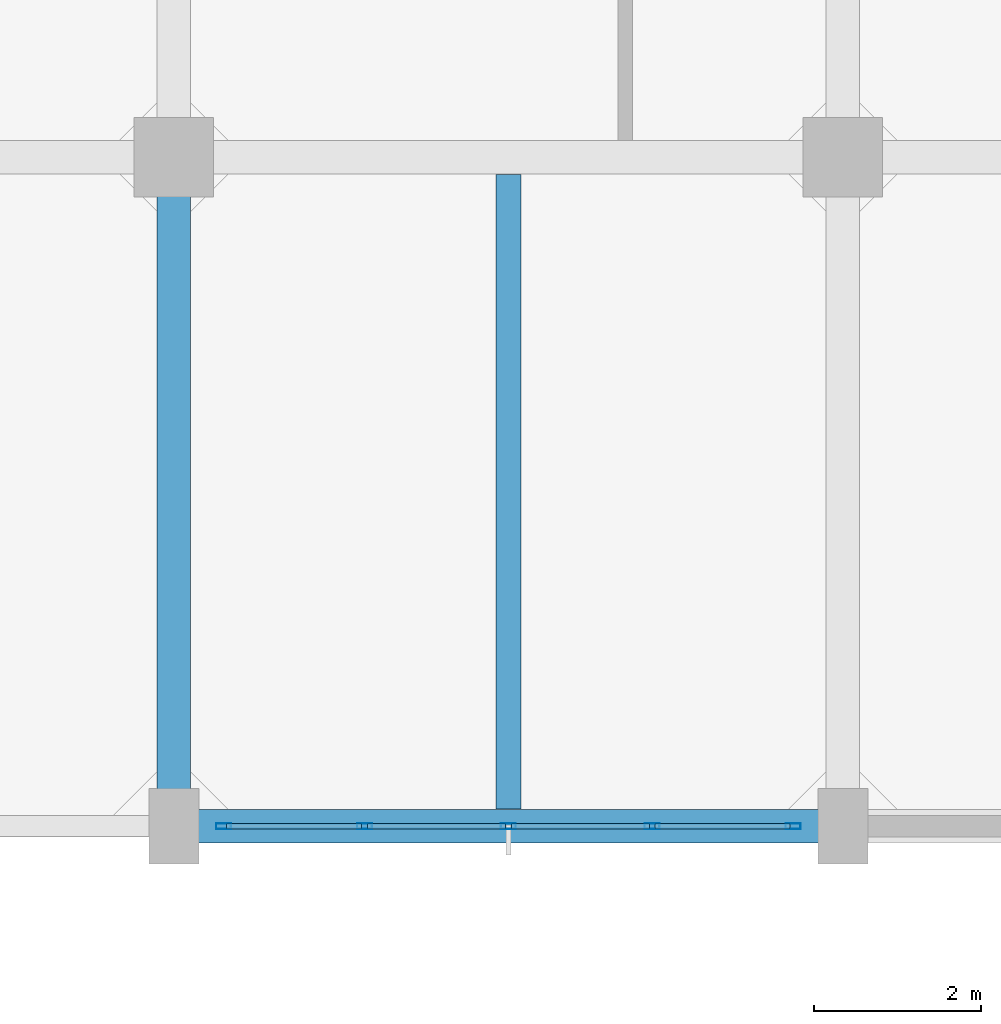
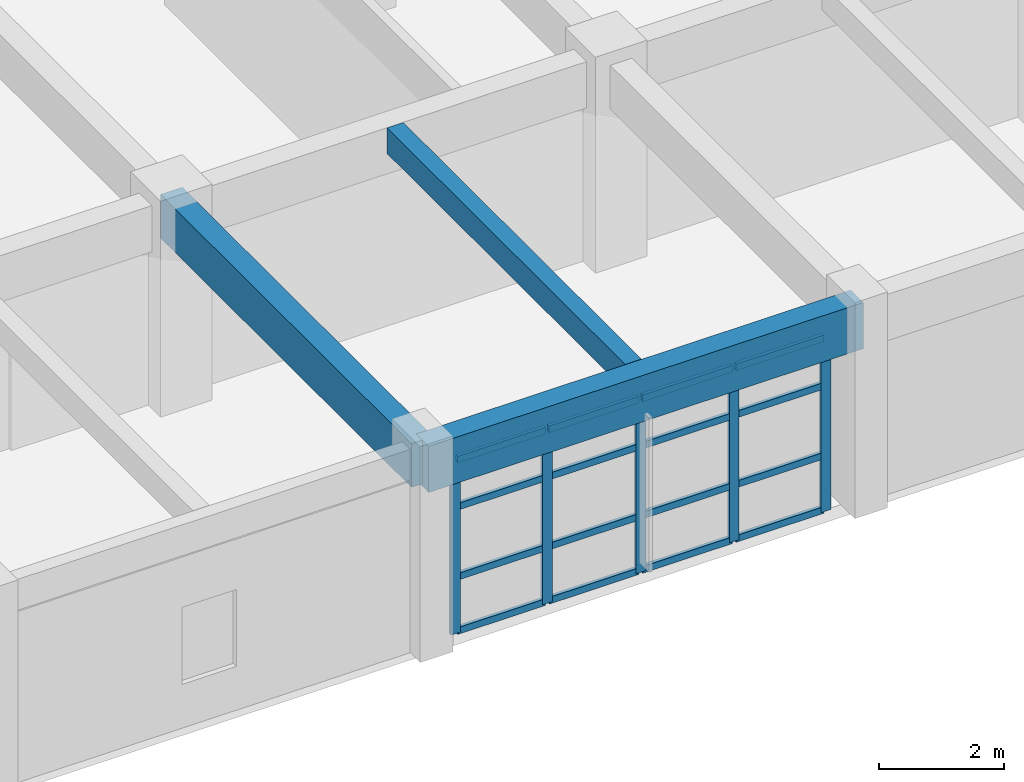
# One storey, part 2 of 35: 21 members, 3 beams, 1 element without a shape of its own.
"""IFC4 building model written with IfcOpenShell, lengths in metres."""

from ifc_helpers import new_model, si_unit, direction, frame, origin, origin_2d, place, context, subcontext, project, spatial, rectangle, hollow_rectangle, extrude, material, layer, layer_set, material_profile, profile_set, type_object, element, aggregate, save


model = new_model("IFC4")

# Units and contexts
model_context = context("Model", 3, precision=1e-05, world=origin(), true_north=direction((0.0, 1.0)))
body_context = subcontext(model_context, "Body", "Model", "MODEL_VIEW")
ifc_project = project(units=[si_unit("LENGTHUNIT", "METRE"), si_unit("AREAUNIT", "SQUARE_METRE"), si_unit("VOLUMEUNIT", "CUBIC_METRE"), si_unit("PLANEANGLEUNIT", "RADIAN"), si_unit("MASSUNIT", "GRAM", prefix="KILO")], contexts=[model_context])

# Site, building, storey
site_placement = place(None, origin())
site = spatial("IfcSite", under=ifc_project, at=site_placement, CompositionType="ELEMENT")
building_placement = place(site_placement, origin())
building = spatial("IfcBuilding", under=site, at=building_placement, Name="Canggui Botanical Conservatory", CompositionType="ELEMENT")
storey_placement = place(building_placement, frame((0.0, 0.0, 15.0)))
storey = spatial("IfcBuildingStorey", under=building, at=storey_placement, Name="L04", CompositionType="ELEMENT", Elevation=15.0)

# Beams
ifc_material_1 = material(Name="Concrete C35", Category="concrete")
ifc_material_profile_1 = material_profile(ifc_material_1, rectangle(XDim=0.300048828125, YDim=0.5, at=origin_2d()), Name="RB 300x500")
ifc_profile_set_1 = profile_set([ifc_material_profile_1], Name="Concrete C35")
beam_type_1 = type_object("IfcBeamType", Name="BM-JST02", PredefinedType="JOIST", material=ifc_profile_set_1)
beam_1_placement = place(storey_placement, frame((150.0, 26.205078125, 3.699951171875), z_axis=(0.0, 1.0, 0.0), x_axis=(-1.0, 0.0, 0.0)))
element("IfcBeam", 1, at=beam_1_placement, inside=storey, type_object=beam_type_1, Name="Secondary Floor Joist L04-2-1", PredefinedType="JOIST", context=body_context, shape_type="SweptSolid", body=[
    extrude(rectangle(XDim=0.300048828125, YDim=0.5, at=origin_2d()), origin(), (0.0, 0.0, 1.0), 7.58984375),
])
ifc_material_profile_2 = material_profile(ifc_material_1, rectangle(XDim=0.39990234375, YDim=0.89990234375, at=origin_2d()), Name="RB 400x900")
ifc_profile_set_2 = profile_set([ifc_material_profile_2], Name="Concrete C35")
beam_type_2 = type_object("IfcBeamType", Name="BM-KL07", PredefinedType="BEAM", material=ifc_profile_set_2)
beam_2_placement = place(storey_placement, frame((146.0, 26.0, 3.5), z_axis=(1.0, 0.0, 0.0), x_axis=(0.0, 1.0, 0.0)))
element("IfcBeam", 2, at=beam_2_placement, inside=storey, type_object=beam_type_2, Name="Frame Girder L04 Y26-2", PredefinedType="BEAM", context=body_context, shape_type="SweptSolid", body=[
    extrude(rectangle(XDim=0.39990234375, YDim=0.89990234375, at=origin_2d()), origin(), (0.0, 0.0, 1.0), 8.0),
])
ifc_material_profile_3 = material_profile(ifc_material_1, rectangle(XDim=0.39990234375, YDim=0.85009765625, at=origin_2d()), Name="RB 400x850")
ifc_profile_set_3 = profile_set([ifc_material_profile_3], Name="Concrete C35")
beam_type_3 = type_object("IfcBeamType", Name="BM-KL08", PredefinedType="BEAM", material=ifc_profile_set_3)
beam_3_placement = place(storey_placement, frame((146.0, 26.0, 3.52490234375), z_axis=(0.0, 1.0, 0.0), x_axis=(-1.0, 0.0, 0.0)))
element("IfcBeam", 3, at=beam_3_placement, inside=storey, type_object=beam_type_3, Name="Frame Girder L04 X146-1", PredefinedType="BEAM", context=body_context, shape_type="SweptSolid", body=[
    extrude(rectangle(XDim=0.39990234375, YDim=0.85009765625, at=origin_2d()), origin(), (0.0, 0.0, 1.0), 8.0),
])

# Curtain wall, members
ifc_material_2 = material(Name="Thermally Broken Aluminium", Category="aluminium")
ifc_layer = layer(ifc_material_2, 0.179931640625, Name="Thermally Broken Aluminium", Category="aluminium")
ifc_layer_set = layer_set([ifc_layer], Name="Thermally Broken Aluminium")
curtain_wall_type = type_object("IfcCurtainWallType", Name="CW-UNIT-A", PredefinedType="USERDEFINED", material=ifc_layer_set)
curtain_wall_placement = place(storey_placement, origin())
curtain_wall = element("IfcCurtainWall", 4, at=curtain_wall_placement, inside=storey, type_object=curtain_wall_type, Name="Facade Curtain Wall CW-TWR-L04-04", ObjectType="UNITISED CURTAIN WALL", PredefinedType="USERDEFINED")
ifc_material_profile_4 = material_profile(ifc_material_2, hollow_rectangle(XDim=0.070068359375, YDim=0.179931640625, WallThickness=0.00390625, at=origin_2d()), Name="CWM 70x180x4")
ifc_profile_set_4 = profile_set([ifc_material_profile_4], Name="Thermally Broken Aluminium")
member_type_1 = type_object("IfcMemberType", Name="CWM-01", PredefinedType="MULLION", material=ifc_profile_set_4)
member_1_placement = place(storey_placement, frame((153.405029296875, 26.0, 0.0), z_axis=(0.0, 0.0, 1.0), x_axis=(0.0, -1.0, 0.0)))
member_1 = element("IfcMember", 5, at=member_1_placement, type_object=member_type_1, Name="CW-01 mullion 1", PredefinedType="MULLION", context=body_context, shape_type="SweptSolid", body=[
    extrude(hollow_rectangle(XDim=0.070068359375, YDim=0.179931640625, WallThickness=0.00390625, at=origin_2d()), origin(), (0.0, 0.0, 1.0), 3.39990234375),
])
member_2_placement = place(storey_placement, frame((151.719970703125, 26.0, 0.0), z_axis=(0.0, 0.0, 1.0), x_axis=(0.0, -1.0, 0.0)))
member_2 = element("IfcMember", 6, at=member_2_placement, type_object=member_type_1, Name="CW-01 mullion 2", PredefinedType="MULLION", context=body_context, shape_type="SweptSolid", body=[
    extrude(hollow_rectangle(XDim=0.070068359375, YDim=0.179931640625, WallThickness=0.00390625, at=origin_2d()), origin(), (0.0, 0.0, 1.0), 3.39990234375),
])
member_3_placement = place(storey_placement, frame((150.0, 26.0, 0.0), z_axis=(0.0, 0.0, 1.0), x_axis=(0.0, -1.0, 0.0)))
member_3 = element("IfcMember", 7, at=member_3_placement, type_object=member_type_1, Name="CW-01 mullion 3", PredefinedType="MULLION", context=body_context, shape_type="SweptSolid", body=[
    extrude(hollow_rectangle(XDim=0.070068359375, YDim=0.179931640625, WallThickness=0.00390625, at=origin_2d()), origin(), (0.0, 0.0, 1.0), 3.39990234375),
])
member_4_placement = place(storey_placement, frame((148.280029296875, 26.0, 0.0), z_axis=(0.0, 0.0, 1.0), x_axis=(0.0, -1.0, 0.0)))
member_4 = element("IfcMember", 8, at=member_4_placement, type_object=member_type_1, Name="CW-01 mullion 4", PredefinedType="MULLION", context=body_context, shape_type="SweptSolid", body=[
    extrude(hollow_rectangle(XDim=0.070068359375, YDim=0.179931640625, WallThickness=0.00390625, at=origin_2d()), origin(), (0.0, 0.0, 1.0), 3.39990234375),
])
member_5_placement = place(storey_placement, frame((146.594970703125, 26.0, 0.0), z_axis=(0.0, 0.0, 1.0), x_axis=(0.0, -1.0, 0.0)))
member_5 = element("IfcMember", 9, at=member_5_placement, type_object=member_type_1, Name="CW-01 mullion 5", PredefinedType="MULLION", context=body_context, shape_type="SweptSolid", body=[
    extrude(hollow_rectangle(XDim=0.070068359375, YDim=0.179931640625, WallThickness=0.00390625, at=origin_2d()), origin(), (0.0, 0.0, 1.0), 3.39990234375),
])
ifc_material_profile_5 = material_profile(ifc_material_2, hollow_rectangle(XDim=0.06494140625, YDim=0.1298828125, WallThickness=0.00341796875, at=origin_2d()), Name="CWT 65x130x3.5")
ifc_profile_set_5 = profile_set([ifc_material_profile_5], Name="Thermally Broken Aluminium")
member_type_2 = type_object("IfcMemberType", Name="CWT-01", PredefinedType="USERDEFINED", material=ifc_profile_set_5)
member_6_placement = place(storey_placement, frame((153.3701171875, 26.0, 0.032470703125), z_axis=(-1.0, 0.0, 0.0), x_axis=(0.0, -1.0, 0.0)))
member_6 = element("IfcMember", 10, at=member_6_placement, type_object=member_type_2, Name="CW-01 transom 1.1", ObjectType="TRANSOM", PredefinedType="USERDEFINED", context=body_context, shape_type="SweptSolid", body=[
    extrude(hollow_rectangle(XDim=0.06494140625, YDim=0.1298828125, WallThickness=0.00341796875, at=origin_2d()), origin(), (0.0, 0.0, 1.0), 1.615234375),
])
member_7_placement = place(storey_placement, frame((153.3701171875, 26.0, 1.087890625), z_axis=(-1.0, 0.0, 0.0), x_axis=(0.0, -1.0, 0.0)))
member_7 = element("IfcMember", 11, at=member_7_placement, type_object=member_type_2, Name="CW-01 transom 1.2", ObjectType="TRANSOM", PredefinedType="USERDEFINED", context=body_context, shape_type="SweptSolid", body=[
    extrude(hollow_rectangle(XDim=0.06494140625, YDim=0.1298828125, WallThickness=0.00341796875, at=origin_2d()), origin(), (0.0, 0.0, 1.0), 1.615234375),
])
member_8_placement = place(storey_placement, frame((153.3701171875, 26.0, 2.447998046875), z_axis=(-1.0, 0.0, 0.0), x_axis=(0.0, -1.0, 0.0)))
member_8 = element("IfcMember", 12, at=member_8_placement, type_object=member_type_2, Name="CW-01 transom 1.3", ObjectType="TRANSOM", PredefinedType="USERDEFINED", context=body_context, shape_type="SweptSolid", body=[
    extrude(hollow_rectangle(XDim=0.06494140625, YDim=0.1298828125, WallThickness=0.00341796875, at=origin_2d()), origin(), (0.0, 0.0, 1.0), 1.615234375),
])
member_9_placement = place(storey_placement, frame((153.3701171875, 26.0, 3.367431640625), z_axis=(-1.0, 0.0, 0.0), x_axis=(0.0, -1.0, 0.0)))
member_9 = element("IfcMember", 13, at=member_9_placement, type_object=member_type_2, Name="CW-01 transom 1.4", ObjectType="TRANSOM", PredefinedType="USERDEFINED", context=body_context, shape_type="SweptSolid", body=[
    extrude(hollow_rectangle(XDim=0.06494140625, YDim=0.1298828125, WallThickness=0.00341796875, at=origin_2d()), origin(), (0.0, 0.0, 1.0), 1.615234375),
])
member_10_placement = place(storey_placement, frame((151.68505859375, 26.0, 0.032470703125), z_axis=(-1.0, 0.0, 0.0), x_axis=(0.0, -1.0, 0.0)))
member_10 = element("IfcMember", 14, at=member_10_placement, type_object=member_type_2, Name="CW-01 transom 2.1", ObjectType="TRANSOM", PredefinedType="USERDEFINED", context=body_context, shape_type="SweptSolid", body=[
    extrude(hollow_rectangle(XDim=0.06494140625, YDim=0.1298828125, WallThickness=0.00341796875, at=origin_2d()), origin(), (0.0, 0.0, 1.0), 1.650146484375),
])
member_11_placement = place(storey_placement, frame((151.68505859375, 26.0, 1.087890625), z_axis=(-1.0, 0.0, 0.0), x_axis=(0.0, -1.0, 0.0)))
member_11 = element("IfcMember", 15, at=member_11_placement, type_object=member_type_2, Name="CW-01 transom 2.2", ObjectType="TRANSOM", PredefinedType="USERDEFINED", context=body_context, shape_type="SweptSolid", body=[
    extrude(hollow_rectangle(XDim=0.06494140625, YDim=0.1298828125, WallThickness=0.00341796875, at=origin_2d()), origin(), (0.0, 0.0, 1.0), 1.650146484375),
])
member_12_placement = place(storey_placement, frame((151.68505859375, 26.0, 2.447998046875), z_axis=(-1.0, 0.0, 0.0), x_axis=(0.0, -1.0, 0.0)))
member_12 = element("IfcMember", 16, at=member_12_placement, type_object=member_type_2, Name="CW-01 transom 2.3", ObjectType="TRANSOM", PredefinedType="USERDEFINED", context=body_context, shape_type="SweptSolid", body=[
    extrude(hollow_rectangle(XDim=0.06494140625, YDim=0.1298828125, WallThickness=0.00341796875, at=origin_2d()), origin(), (0.0, 0.0, 1.0), 1.650146484375),
])
member_13_placement = place(storey_placement, frame((151.68505859375, 26.0, 3.367431640625), z_axis=(-1.0, 0.0, 0.0), x_axis=(0.0, -1.0, 0.0)))
member_13 = element("IfcMember", 17, at=member_13_placement, type_object=member_type_2, Name="CW-01 transom 2.4", ObjectType="TRANSOM", PredefinedType="USERDEFINED", context=body_context, shape_type="SweptSolid", body=[
    extrude(hollow_rectangle(XDim=0.06494140625, YDim=0.1298828125, WallThickness=0.00341796875, at=origin_2d()), origin(), (0.0, 0.0, 1.0), 1.650146484375),
])
member_14_placement = place(storey_placement, frame((149.965087890625, 26.0, 0.032470703125), z_axis=(-1.0, 0.0, 0.0), x_axis=(0.0, -1.0, 0.0)))
member_14 = element("IfcMember", 18, at=member_14_placement, type_object=member_type_2, Name="CW-01 transom 3.1", ObjectType="TRANSOM", PredefinedType="USERDEFINED", context=body_context, shape_type="SweptSolid", body=[
    extrude(hollow_rectangle(XDim=0.06494140625, YDim=0.1298828125, WallThickness=0.00341796875, at=origin_2d()), origin(), (0.0, 0.0, 1.0), 1.650146484375),
])
member_15_placement = place(storey_placement, frame((149.965087890625, 26.0, 1.087890625), z_axis=(-1.0, 0.0, 0.0), x_axis=(0.0, -1.0, 0.0)))
member_15 = element("IfcMember", 19, at=member_15_placement, type_object=member_type_2, Name="CW-01 transom 3.2", ObjectType="TRANSOM", PredefinedType="USERDEFINED", context=body_context, shape_type="SweptSolid", body=[
    extrude(hollow_rectangle(XDim=0.06494140625, YDim=0.1298828125, WallThickness=0.00341796875, at=origin_2d()), origin(), (0.0, 0.0, 1.0), 1.650146484375),
])
member_16_placement = place(storey_placement, frame((149.965087890625, 26.0, 2.447998046875), z_axis=(-1.0, 0.0, 0.0), x_axis=(0.0, -1.0, 0.0)))
member_16 = element("IfcMember", 20, at=member_16_placement, type_object=member_type_2, Name="CW-01 transom 3.3", ObjectType="TRANSOM", PredefinedType="USERDEFINED", context=body_context, shape_type="SweptSolid", body=[
    extrude(hollow_rectangle(XDim=0.06494140625, YDim=0.1298828125, WallThickness=0.00341796875, at=origin_2d()), origin(), (0.0, 0.0, 1.0), 1.650146484375),
])
member_17_placement = place(storey_placement, frame((149.965087890625, 26.0, 3.367431640625), z_axis=(-1.0, 0.0, 0.0), x_axis=(0.0, -1.0, 0.0)))
member_17 = element("IfcMember", 21, at=member_17_placement, type_object=member_type_2, Name="CW-01 transom 3.4", ObjectType="TRANSOM", PredefinedType="USERDEFINED", context=body_context, shape_type="SweptSolid", body=[
    extrude(hollow_rectangle(XDim=0.06494140625, YDim=0.1298828125, WallThickness=0.00341796875, at=origin_2d()), origin(), (0.0, 0.0, 1.0), 1.650146484375),
])
member_18_placement = place(storey_placement, frame((148.2451171875, 26.0, 0.032470703125), z_axis=(-1.0, 0.0, 0.0), x_axis=(0.0, -1.0, 0.0)))
member_18 = element("IfcMember", 22, at=member_18_placement, type_object=member_type_2, Name="CW-01 transom 4.1", ObjectType="TRANSOM", PredefinedType="USERDEFINED", context=body_context, shape_type="SweptSolid", body=[
    extrude(hollow_rectangle(XDim=0.06494140625, YDim=0.1298828125, WallThickness=0.00341796875, at=origin_2d()), origin(), (0.0, 0.0, 1.0), 1.615234375),
])
member_19_placement = place(storey_placement, frame((148.2451171875, 26.0, 1.087890625), z_axis=(-1.0, 0.0, 0.0), x_axis=(0.0, -1.0, 0.0)))
member_19 = element("IfcMember", 23, at=member_19_placement, type_object=member_type_2, Name="CW-01 transom 4.2", ObjectType="TRANSOM", PredefinedType="USERDEFINED", context=body_context, shape_type="SweptSolid", body=[
    extrude(hollow_rectangle(XDim=0.06494140625, YDim=0.1298828125, WallThickness=0.00341796875, at=origin_2d()), origin(), (0.0, 0.0, 1.0), 1.615234375),
])
member_20_placement = place(storey_placement, frame((148.2451171875, 26.0, 2.447998046875), z_axis=(-1.0, 0.0, 0.0), x_axis=(0.0, -1.0, 0.0)))
member_20 = element("IfcMember", 24, at=member_20_placement, type_object=member_type_2, Name="CW-01 transom 4.3", ObjectType="TRANSOM", PredefinedType="USERDEFINED", context=body_context, shape_type="SweptSolid", body=[
    extrude(hollow_rectangle(XDim=0.06494140625, YDim=0.1298828125, WallThickness=0.00341796875, at=origin_2d()), origin(), (0.0, 0.0, 1.0), 1.615234375),
])
member_21_placement = place(storey_placement, frame((148.2451171875, 26.0, 3.367431640625), z_axis=(-1.0, 0.0, 0.0), x_axis=(0.0, -1.0, 0.0)))
member_21 = element("IfcMember", 25, at=member_21_placement, type_object=member_type_2, Name="CW-01 transom 4.4", ObjectType="TRANSOM", PredefinedType="USERDEFINED", context=body_context, shape_type="SweptSolid", body=[
    extrude(hollow_rectangle(XDim=0.06494140625, YDim=0.1298828125, WallThickness=0.00341796875, at=origin_2d()), origin(), (0.0, 0.0, 1.0), 1.615234375),
])
aggregate(curtain_wall, [member_1, member_2, member_3, member_4, member_5, member_6, member_7, member_8, member_9, member_10, member_11, member_12, member_13, member_14, member_15, member_16, member_17, member_18, member_19, member_20, member_21])

save(model, "model.ifc")
